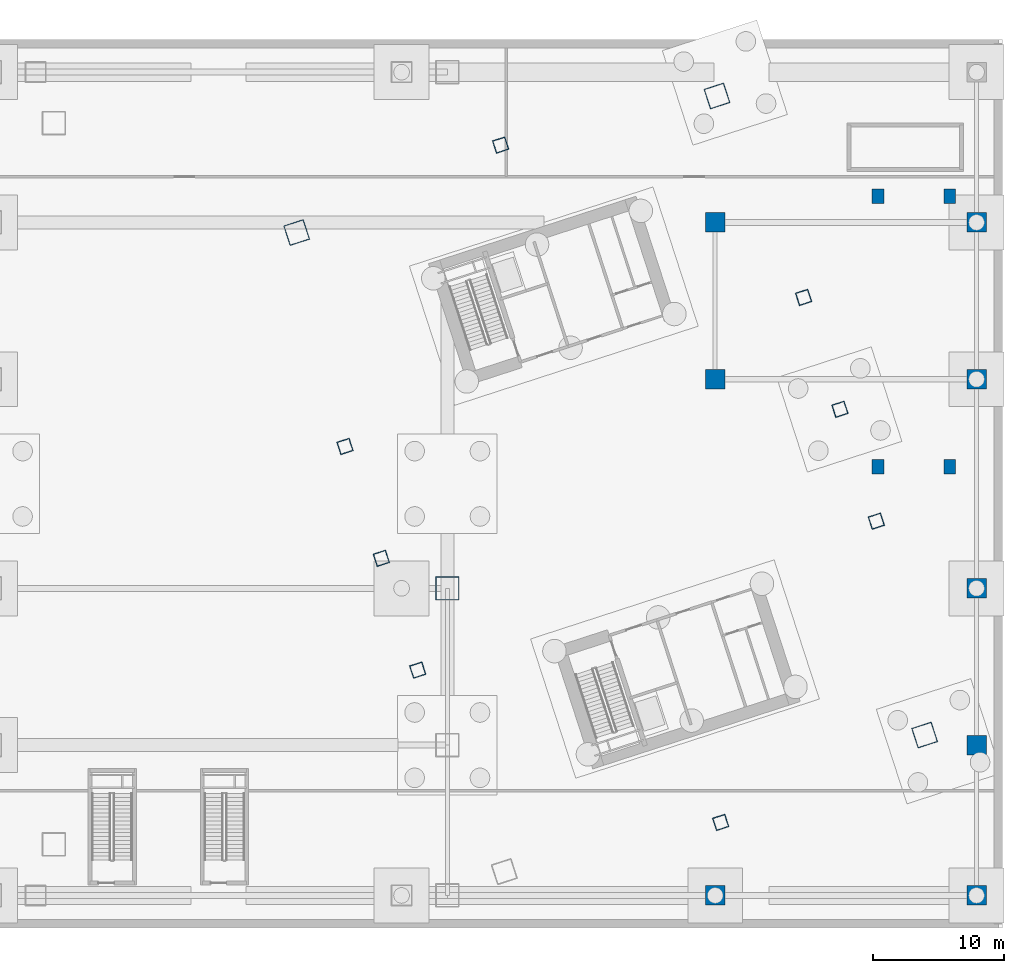
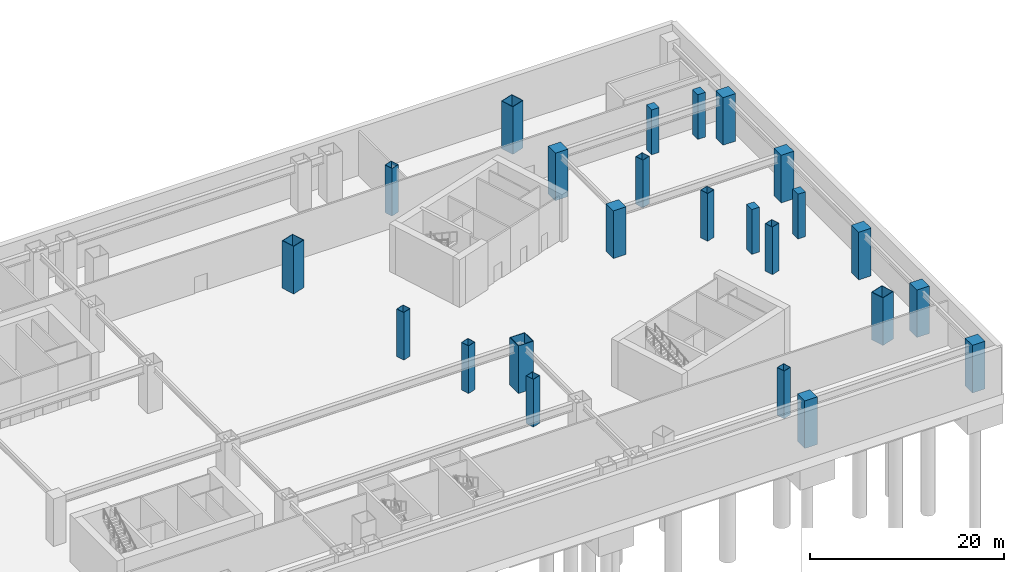
# One storey, part 3 of 20: 24 columns.
"""IFC4 building model written with IfcOpenShell, lengths in metres."""

from ifc_helpers import new_model, si_unit, direction, frame, origin, origin_2d, place, context, subcontext, project, spatial, rectangle, hollow_rectangle, extrude, material, material_profile, profile_set, type_object, element, save


model = new_model("IFC4")

# Units and contexts
model_context = context("Model", 3, precision=1e-05, world=origin(), true_north=direction((0.0, 1.0)))
body_context = subcontext(model_context, "Body", "Model", "MODEL_VIEW")
ifc_project = project(units=[si_unit("LENGTHUNIT", "METRE"), si_unit("AREAUNIT", "SQUARE_METRE"), si_unit("VOLUMEUNIT", "CUBIC_METRE"), si_unit("PLANEANGLEUNIT", "RADIAN"), si_unit("MASSUNIT", "GRAM", prefix="KILO")], contexts=[model_context])

# Site, building, storey
site_placement = place(None, origin())
site = spatial("IfcSite", under=ifc_project, at=site_placement, CompositionType="ELEMENT")
building_placement = place(site_placement, origin())
building = spatial("IfcBuilding", under=site, at=building_placement, Name="Qiaolan Cultural Towers", CompositionType="ELEMENT")
storey_placement = place(building_placement, frame((0.0, 0.0, -12.0)))
storey = spatial("IfcBuildingStorey", under=building, at=storey_placement, Name="B2", CompositionType="ELEMENT", Elevation=-12.0)

# Columns
ifc_material_1 = material(Name="Steel Q355B", Category="steel")
ifc_material_profile_1 = material_profile(ifc_material_1, hollow_rectangle(XDim=1.0, YDim=1.0, WallThickness=0.035888671875, at=origin_2d()), Name="BOX1000x1000x36")
ifc_profile_set_1 = profile_set([ifc_material_profile_1], Name="Steel Q355B")
column_type_1 = type_object("IfcColumnType", Name="COL-BOX1000x1000x36", PredefinedType="COLUMN", material=ifc_profile_set_1)
for number, where, z_axis, x_axis, name in (
    (1, (75.234130859375, 19.739013671875, 0.0), (0.0, 0.0, 1.0), (0.951056516295, 0.309016994375, 0.0), "B2 T2 Column PC-W1"),
    (2, (72.453125, 28.298583984375, 0.0), (0.0, 0.0, 1.0), (0.951056516295, 0.309016994375, 0.0), "B2 T2 Column PC-W2"),
    (3, (69.671875, 36.858154296875, 0.0), (0.0, 0.0, 1.0), (0.951056516295, 0.309016994375, 0.0), "B2 T2 Column PC-W3"),
    (4, (110.328125, 31.141845703125, 0.0), (0.0, 0.0, 1.0), (0.951056516295, 0.309016994375, 0.0), "B2 T2 Column PC-E1"),
    (5, (107.546875, 39.701416015625, 0.0), (0.0, 0.0, 1.0), (0.951056516295, 0.309016994375, 0.0), "B2 T2 Column PC-E2"),
    (6, (104.765869140625, 48.260986328125, 0.0), (0.0, 0.0, 1.0), (0.951056516295, 0.309016994375, 0.0), "B2 T2 Column PC-E3"),
    (7, (98.420654296875, 8.083740234375, 0.0), (0.0, 0.0, 1.0), (0.951056516295, 0.309016994375, 0.0), "B2 T2 Column PC-S0"),
    (8, (81.579345703125, 59.916259765625, 0.0), (0.0, 0.0, 1.0), (0.951056516295, 0.309016994375, 0.0), "B2 T2 Column PC-N0"),
):
    element("IfcColumn", number, at=place(storey_placement, frame(where, z_axis=z_axis, x_axis=x_axis)), inside=storey, type_object=column_type_1, Name=name, PredefinedType="COLUMN", context=body_context, shape_type="SweptSolid", body=[
        extrude(hollow_rectangle(XDim=1.0, YDim=1.0, WallThickness=0.035888671875, at=origin_2d()), origin(), (0.0, 0.0, 1.0), 6.0009765625),
    ])
ifc_material_2 = material(Name="Steel Q420GJB", Category="steel")
ifc_material_profile_2 = material_profile(ifc_material_2, hollow_rectangle(XDim=1.60009765625, YDim=1.60009765625, WallThickness=0.054931640625, at=origin_2d()), Name="BOX1600x1600x55")
ifc_profile_set_2 = profile_set([ifc_material_profile_2], Name="Steel Q420GJB")
column_type_2 = type_object("IfcColumnType", Name="COL-BOX1600x1600x55", PredefinedType="COLUMN", material=ifc_profile_set_2)
for number, where, z_axis, x_axis, name in (
    (9, (114.027099609375, 14.77392578125, 0.0), (0.0, 0.0, 1.0), (0.951056516295, 0.309016994375, 0.0), "B2 T2 Column MC-SE"),
    (10, (98.137451171875, 63.67724609375, 0.0), (0.0, 0.0, 1.0), (0.951056516295, 0.309016994375, 0.0), "B2 T2 Column MC-NE"),
    (11, (65.972900390625, 53.22607421875, 0.0), (0.0, 0.0, 1.0), (0.951056516295, 0.309016994375, 0.0), "B2 T2 Column MC-NW"),
):
    element("IfcColumn", number, at=place(storey_placement, frame(where, z_axis=z_axis, x_axis=x_axis)), inside=storey, type_object=column_type_2, Name=name, PredefinedType="COLUMN", context=body_context, shape_type="SweptSolid", body=[
        extrude(hollow_rectangle(XDim=1.60009765625, YDim=1.60009765625, WallThickness=0.054931640625, at=origin_2d()), origin(), (0.0, 0.0, 1.0), 6.0009765625),
    ])
ifc_material_3 = material(Name="Steel Q420GJB", Category="steel")
ifc_material_profile_3 = material_profile(ifc_material_3, hollow_rectangle(XDim=1.800048828125, YDim=1.800048828125, WallThickness=0.06005859375, at=origin_2d()), Name="BOX1800x1800x60")
ifc_profile_set_3 = profile_set([ifc_material_profile_3], Name="Steel Q420GJB")
column_type_3 = type_object("IfcColumnType", Name="COL-BOX1800x1800x60", PredefinedType="COLUMN", material=ifc_profile_set_3)
column_placement = place(storey_placement, frame((77.5, 26.0, 0.0), z_axis=(0.0, 0.0, 1.0), x_axis=(1.0, 0.0, 0.0)))
element("IfcColumn", 12, at=column_placement, inside=storey, type_object=column_type_3, Name="B2 Podium Column PC-77-26", PredefinedType="COLUMN", context=body_context, shape_type="SweptSolid", body=[
    extrude(hollow_rectangle(XDim=1.800048828125, YDim=1.800048828125, WallThickness=0.06005859375, at=origin_2d()), origin(), (0.0, 0.0, 1.0), 6.0009765625),
])
ifc_material_4 = material(Name="Concrete C60", Category="concrete")
ifc_material_profile_4 = material_profile(ifc_material_4, rectangle(XDim=1.5, YDim=1.5, at=origin_2d()), Name="RC1500x1500")
ifc_profile_set_4 = profile_set([ifc_material_profile_4], Name="Concrete C60")
column_type_4 = type_object("IfcColumnType", Name="COL-RC1500x1500", PredefinedType="COLUMN", material=ifc_profile_set_4)
for number, where, z_axis, x_axis, name in (
    (13, (98.0, 2.5, 0.0), (0.0, 0.0, 1.0), (1.0, 0.0, 0.0), "B2 Podium Column PC-98-2"),
    (14, (98.0, 42.0, 0.0), (0.0, 0.0, 1.0), (1.0, 0.0, 0.0), "B2 Podium Column PC-98-42"),
    (15, (98.0, 54.0, 0.0), (0.0, 0.0, 1.0), (1.0, 0.0, 0.0), "B2 Podium Column PC-98-54"),
    (16, (118.0, 2.5, 0.0), (0.0, 0.0, 1.0), (1.0, 0.0, 0.0), "B2 Podium Column PC-118-2"),
    (17, (118.0, 14.0, 0.0), (0.0, 0.0, 1.0), (1.0, 0.0, 0.0), "B2 Podium Column PC-118-14"),
    (18, (118.0, 26.0, 0.0), (0.0, 0.0, 1.0), (1.0, 0.0, 0.0), "B2 Podium Column PC-118-26"),
    (19, (118.0, 42.0, 0.0), (0.0, 0.0, 1.0), (1.0, 0.0, 0.0), "B2 Podium Column PC-118-42"),
    (20, (118.0, 54.0, 0.0), (0.0, 0.0, 1.0), (1.0, 0.0, 0.0), "B2 Podium Column PC-118-54"),
):
    element("IfcColumn", number, at=place(storey_placement, frame(where, z_axis=z_axis, x_axis=x_axis)), inside=storey, type_object=column_type_4, Name=name, PredefinedType="COLUMN", context=body_context, shape_type="SweptSolid", body=[
        extrude(rectangle(XDim=1.5, YDim=1.5, at=origin_2d()), origin(), (0.0, 0.0, 1.0), 6.0009765625),
    ])
ifc_material_5 = material(Name="Concrete C50", Category="concrete")
ifc_material_profile_5 = material_profile(ifc_material_5, rectangle(XDim=0.89990234375, YDim=1.10009765625, at=origin_2d()), Name="RC900x1100")
ifc_profile_set_5 = profile_set([ifc_material_profile_5], Name="Concrete C50")
column_type_5 = type_object("IfcColumnType", Name="COL-RC900x1100", PredefinedType="COLUMN", material=ifc_profile_set_5)
for number, where, z_axis, x_axis, name in (
    (21, (110.449951171875, 35.300048828125, 0.0), (0.0, 0.0, 1.0), (1.0, 0.0, 0.0), "B2 Sub-Column for B1 Vehicle Ramp 1"),
    (22, (115.949951171875, 35.300048828125, 0.0), (0.0, 0.0, 1.0), (1.0, 0.0, 0.0), "B2 Sub-Column for B1 Vehicle Ramp 2"),
    (23, (110.449951171875, 56.0, 0.0), (0.0, 0.0, 1.0), (1.0, 0.0, 0.0), "B2 Sub-Column for B1 Vehicle Ramp 3"),
    (24, (115.949951171875, 56.0, 0.0), (0.0, 0.0, 1.0), (1.0, 0.0, 0.0), "B2 Sub-Column for B1 Vehicle Ramp 4"),
):
    element("IfcColumn", number, at=place(storey_placement, frame(where, z_axis=z_axis, x_axis=x_axis)), inside=storey, type_object=column_type_5, Name=name, PredefinedType="COLUMN", context=body_context, shape_type="SweptSolid", body=[
        extrude(rectangle(XDim=0.89990234375, YDim=1.10009765625, at=origin_2d()), origin(), (0.0, 0.0, 1.0), 5.64990234375),
    ])

save(model, "model.ifc")
